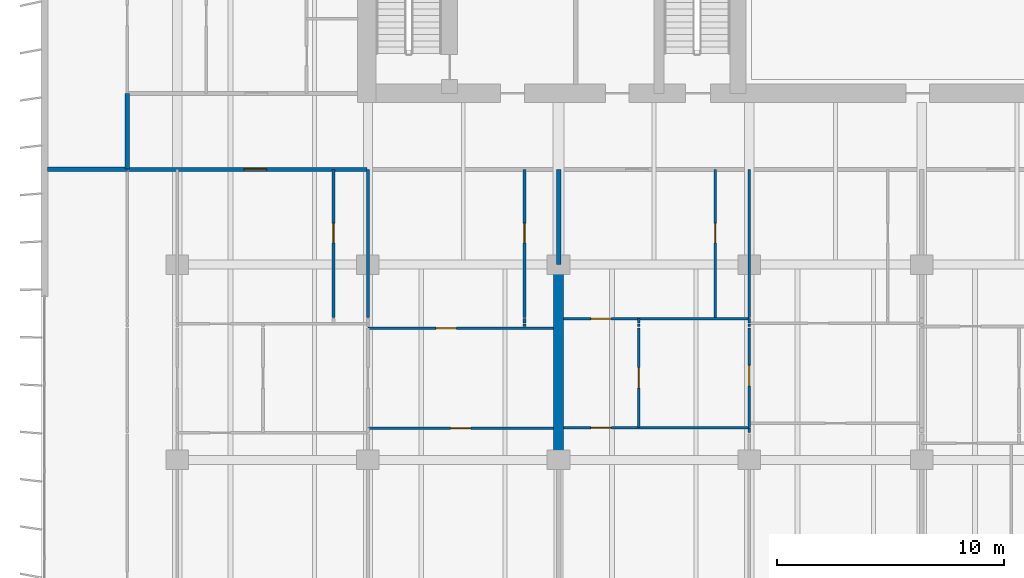
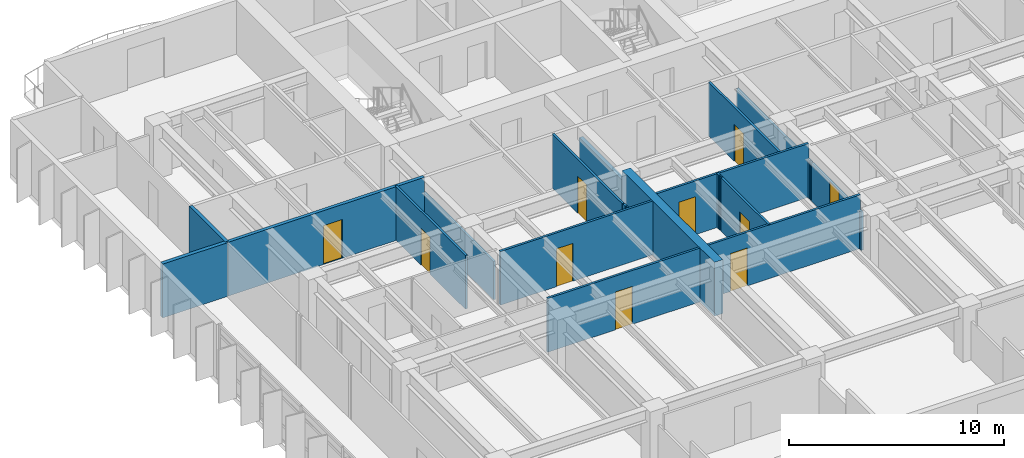
# One storey, part 7 of 19: 23 walls, 10 doors, 10 openings.
"""IFC4 building model written with IfcOpenShell, lengths in metres."""

from ifc_helpers import new_model, si_unit, direction, frame, frame_2d, origin, place, context, subcontext, project, spatial, rectangle, extrude, material, layer, layer_set, type_object, element, fill, save


model = new_model("IFC4")

# Units and contexts
model_context = context("Model", 3, precision=1e-05, world=origin(), true_north=direction((0.0, 1.0)))
body_context = subcontext(model_context, "Body", "Model", "MODEL_VIEW")
ifc_project = project(units=[si_unit("LENGTHUNIT", "METRE"), si_unit("AREAUNIT", "SQUARE_METRE"), si_unit("VOLUMEUNIT", "CUBIC_METRE"), si_unit("PLANEANGLEUNIT", "RADIAN"), si_unit("MASSUNIT", "GRAM", prefix="KILO")], contexts=[model_context])

# Site, building, storey
site_placement = place(None, origin())
site = spatial("IfcSite", under=ifc_project, at=site_placement, CompositionType="ELEMENT")
building_placement = place(site_placement, origin())
building = spatial("IfcBuilding", under=site, at=building_placement, Name="Caelmar Bay Residences", CompositionType="ELEMENT")
storey_placement = place(building_placement, frame((0.0, 0.0, 112.5)))
storey = spatial("IfcBuildingStorey", under=building, at=storey_placement, Name="L30", CompositionType="ELEMENT", Elevation=112.5)

# Walls
ifc_material_1 = material(Name="Concrete f'c 55 MPa (8,000 psi)", Category="concrete")
ifc_layer_1 = layer(ifc_material_1, 0.449951171875)
ifc_layer_set_1 = layer_set([ifc_layer_1], Name="Concrete f'c 55 MPa (8,000 psi)")
wall_type_1 = type_object("IfcWallType", Name="SW-XSLB-450", PredefinedType="SHEAR", material=ifc_layer_set_1)
wall_1_placement = place(storey_placement, frame((26.699951171875, 20.800048828125, 0.0), z_axis=(0.0, 0.0, 1.0), x_axis=(0.0, 1.0, 0.0)))
element("IfcWall", 1, at=wall_1_placement, inside=storey, type_object=wall_type_1, Name="L30 Transverse Cross-Slab Shear Wall W5", PredefinedType="SHEAR", context=body_context, shape_type="SweptSolid", body=[
    extrude(rectangle(XDim=8.599853515625, YDim=0.449951171875, at=frame_2d((4.2998046875, 0.0))), origin(), (0.0, 0.0, 1.0), 3.050048828125),
])
ifc_material_2 = material(Name="Double-stud acoustic fire-rated gypsum partition 180 mm")
ifc_layer_2 = layer(ifc_material_2, 0.179931640625)
ifc_layer_set_2 = layer_set([ifc_layer_2], Name="Double-stud acoustic fire-rated gypsum partition 180 mm")
wall_type_2 = type_object("IfcWallType", Name="W-COR-200", PredefinedType="PARTITIONING", material=ifc_layer_set_2)
wall_2_placement = place(storey_placement, frame((7.699951171875, 33.60498046875, 0.0), z_axis=(0.0, 0.0, 1.0), x_axis=(0.0, 1.0, 0.0)))
element("IfcWall", 2, at=wall_2_placement, inside=storey, type_object=wall_type_2, Name="L30 Partition Wall V007", PredefinedType="PARTITIONING", context=body_context, shape_type="SweptSolid", body=[
    extrude(rectangle(XDim=3.344970703125, YDim=0.179931640625, at=frame_2d((1.67236328125, 0.0))), origin(), (0.0, 0.0, 1.0), 3.050048828125),
])

# Wall, opening, door
wall_3_placement = place(storey_placement, frame((7.705078125, 33.60009765625, 0.0), z_axis=(0.0, 0.0, 1.0), x_axis=(1.0, 0.0, 0.0)))
wall_3 = element("IfcWall", 3, at=wall_3_placement, inside=storey, type_object=wall_type_2, Name="L30 Partition Wall H140", PredefinedType="PARTITIONING", context=body_context, shape_type="SweptSolid", body=[
    extrude(rectangle(XDim=10.544921875, YDim=0.179931640625, at=frame_2d((5.2724609375, 0.0))), origin(), (0.0, 0.0, 1.0), 3.050048828125),
])
opening_1_placement = place(wall_3_placement, frame((5.137451171875, 0.0, 0.0)))
opening_1 = element("IfcOpeningElement", 4, at=opening_1_placement, cuts=wall_3, Name="Opening D-L30-119", PredefinedType="OPENING", context=body_context, shape_type="SweptSolid", body=[
    extrude(rectangle(XDim=1.0, YDim=2.199951171875, at=frame_2d((0.5, 1.10009765625))), frame((0.0, 0.099853515625, 0.0), z_axis=(0.0, -1.0, 0.0), x_axis=(1.0, 0.0, 0.0)), (0.0, 0.0, 1.0), 0.199951171875),
])
ifc_material_3 = material(Name="Fire-rated steel and walnut architectural door assembly", Category="steel")
ifc_layer_3 = layer(ifc_material_3, 0.050048828125)
ifc_layer_set_3 = layer_set([ifc_layer_3], Name="Fire-rated steel and walnut architectural door assembly")
door_type_1 = type_object("IfcDoorType", Name="D-UNIT-1000", OperationType="NOTDEFINED", PredefinedType="DOOR", material=ifc_layer_set_3)
door_1_placement = place(opening_1_placement, origin())
door_1 = element("IfcDoor", 5, at=door_1_placement, inside=storey, type_object=door_type_1, Name="L30 Residence 01 Apartment Hall Door", OperationType="SINGLE_SWING_LEFT", OverallHeight=2.199951171875, OverallWidth=1.0, PredefinedType="DOOR", context=body_context, shape_type="SweptSolid", body=[
    extrude(rectangle(XDim=1.0, YDim=2.199951171875, at=frame_2d((0.5, 1.10009765625))), frame((0.0, 0.02490234375, 0.0), z_axis=(0.0, -1.0, 0.0), x_axis=(1.0, 0.0, 0.0)), (0.0, 0.0, 1.0), 0.050048828125),
])
fill(opening_1, door_1)

ifc_material_4 = material(Name="Acoustic metal-stud gypsum partition 120 mm")
ifc_layer_4 = layer(ifc_material_4, 0.1201171875)
ifc_layer_set_4 = layer_set([ifc_layer_4], Name="Acoustic metal-stud gypsum partition 120 mm")
wall_type_3 = type_object("IfcWallType", Name="W-PRT-120", PredefinedType="PARTITIONING", material=ifc_layer_set_4)
wall_4_placement = place(storey_placement, frame((16.784912109375, 27.080078125, 0.0), z_axis=(0.0, 0.0, 1.0), x_axis=(0.0, 1.0, 0.0)))
wall_4 = element("IfcWall", 6, at=wall_4_placement, inside=storey, type_object=wall_type_3, Name="L30 Partition Wall V023", PredefinedType="PARTITIONING", context=body_context, shape_type="SweptSolid", body=[
    extrude(rectangle(XDim=6.52001953125, YDim=0.1201171875, at=frame_2d((3.260009765625, 0.0))), origin(), (0.0, 0.0, 1.0), 3.050048828125),
])
opening_2_placement = place(wall_4_placement, frame((3.284912109375, 0.0, 0.0)))
opening_2 = element("IfcOpeningElement", 7, at=opening_2_placement, cuts=wall_4, Name="Opening D-L30-120", PredefinedType="OPENING", context=body_context, shape_type="SweptSolid", body=[
    extrude(rectangle(XDim=0.85009765625, YDim=2.10009765625, at=frame_2d((0.425048828125, 1.050048828125))), frame((0.0, 0.070068359375, 0.0), z_axis=(0.0, -1.0, 0.0), x_axis=(1.0, 0.0, 0.0)), (0.0, 0.0, 1.0), 0.14013671875),
])
ifc_material_5 = material(Name="Solid walnut timber interior door leaf and frame", Category="wood")
ifc_layer_5 = layer(ifc_material_5, 0.050048828125)
ifc_layer_set_5 = layer_set([ifc_layer_5], Name="Solid walnut timber interior door leaf and frame")
door_type_2 = type_object("IfcDoorType", Name="D-BATH-850", OperationType="NOTDEFINED", PredefinedType="DOOR", material=ifc_layer_set_5)
door_2_placement = place(opening_2_placement, origin())
door_2 = element("IfcDoor", 8, at=door_2_placement, inside=storey, type_object=door_type_2, Name="L30 Residence 01 Guest Bathroom Door", OperationType="SINGLE_SWING_RIGHT", OverallHeight=2.10009765625, OverallWidth=0.85009765625, PredefinedType="DOOR", context=body_context, shape_type="SweptSolid", body=[
    extrude(rectangle(XDim=0.85009765625, YDim=2.10009765625, at=frame_2d((0.425048828125, 1.050048828125))), frame((0.0, 0.02490234375, 0.0), z_axis=(0.0, -1.0, 0.0), x_axis=(1.0, 0.0, 0.0)), (0.0, 0.0, 1.0), 0.050048828125),
])
fill(opening_2, door_2)

# Walls
wall_5_placement = place(storey_placement, frame((18.300048828125, 27.080078125, 0.0), z_axis=(0.0, 0.0, 1.0), x_axis=(0.0, 1.0, 0.0)))
element("IfcWall", 9, at=wall_5_placement, inside=storey, type_object=wall_type_3, Name="L30 Partition Wall V030", PredefinedType="PARTITIONING", context=body_context, shape_type="SweptSolid", body=[
    extrude(rectangle(XDim=6.52001953125, YDim=0.1201171875, at=frame_2d((3.260009765625, 0.0))), origin(), (0.0, 0.0, 1.0), 2.174072265625),
])
wall_6_placement = place(storey_placement, frame((25.199951171875, 26.679931640625, 0.0), z_axis=(0.0, 0.0, 1.0), x_axis=(0.0, 1.0, 0.0)))
element("IfcWall", 10, at=wall_6_placement, inside=storey, type_object=wall_type_3, Name="L30 Partition Wall V032", PredefinedType="PARTITIONING", context=body_context, shape_type="SweptSolid", body=[
    extrude(rectangle(XDim=0.10009765625, YDim=0.1201171875, at=frame_2d((0.050048828125, 0.0))), origin(), (0.0, 0.0, 1.0), 3.050048828125),
])
wall_7_placement = place(storey_placement, frame((25.199951171875, 26.820068359375, 0.0), z_axis=(0.0, 0.0, 1.0), x_axis=(0.0, 1.0, 0.0)))
element("IfcWall", 11, at=wall_7_placement, inside=storey, type_object=wall_type_3, Name="L30 Partition Wall V033", PredefinedType="PARTITIONING", context=body_context, shape_type="SweptSolid", body=[
    extrude(rectangle(XDim=0.199951171875, YDim=0.1201171875, at=frame_2d((0.10009765625, 0.0))), origin(), (0.0, 0.0, 1.0), 3.050048828125),
])

# Wall, opening, door
wall_8_placement = place(storey_placement, frame((25.199951171875, 27.080078125, 0.0), z_axis=(0.0, 0.0, 1.0), x_axis=(0.0, 1.0, 0.0)))
wall_8 = element("IfcWall", 12, at=wall_8_placement, inside=storey, type_object=wall_type_3, Name="L30 Partition Wall V034", PredefinedType="PARTITIONING", context=body_context, shape_type="SweptSolid", body=[
    extrude(rectangle(XDim=6.52001953125, YDim=0.1201171875, at=frame_2d((3.260009765625, 0.0))), origin(), (0.0, 0.0, 1.0), 3.050048828125),
])
opening_3_placement = place(wall_8_placement, frame((3.284912109375, 0.0, 0.0)))
opening_3 = element("IfcOpeningElement", 13, at=opening_3_placement, cuts=wall_8, Name="Opening D-L30-126", PredefinedType="OPENING", context=body_context, shape_type="SweptSolid", body=[
    extrude(rectangle(XDim=0.85009765625, YDim=2.10009765625, at=frame_2d((0.425048828125, 1.050048828125))), frame((0.0, 0.070068359375, 0.0), z_axis=(0.0, -1.0, 0.0), x_axis=(1.0, 0.0, 0.0)), (0.0, 0.0, 1.0), 0.14013671875),
])
door_3_placement = place(opening_3_placement, origin())
door_3 = element("IfcDoor", 14, at=door_3_placement, inside=storey, type_object=door_type_2, Name="L30 Residence 01 En-Suite Bathroom 1 Door", OperationType="SINGLE_SWING_RIGHT", OverallHeight=2.10009765625, OverallWidth=0.85009765625, PredefinedType="DOOR", context=body_context, shape_type="SweptSolid", body=[
    extrude(rectangle(XDim=0.85009765625, YDim=2.10009765625, at=frame_2d((0.425048828125, 1.050048828125))), frame((0.0, 0.02490234375, 0.0), z_axis=(0.0, -1.0, 0.0), x_axis=(1.0, 0.0, 0.0)), (0.0, 0.0, 1.0), 0.050048828125),
])
fill(opening_3, door_3)

wall_9_placement = place(storey_placement, frame((30.22802734375, 22.219970703125, 0.0), z_axis=(0.0, 0.0, 1.0), x_axis=(0.0, 1.0, 0.0)))
wall_9 = element("IfcWall", 15, at=wall_9_placement, inside=storey, type_object=wall_type_3, Name="L30 Partition Wall V041", PredefinedType="PARTITIONING", context=body_context, shape_type="SweptSolid", body=[
    extrude(rectangle(XDim=4.380126953125, YDim=0.1201171875, at=frame_2d((2.18994140625, 0.0))), origin(), (0.0, 0.0, 1.0), 3.050048828125),
])
opening_4_placement = place(wall_9_placement, frame((1.739990234375, 0.0, 0.0)))
opening_4 = element("IfcOpeningElement", 16, at=opening_4_placement, cuts=wall_9, Name="Opening D-L30-133", PredefinedType="OPENING", context=body_context, shape_type="SweptSolid", body=[
    extrude(rectangle(XDim=0.89990234375, YDim=2.14990234375, at=frame_2d((0.449951171875, 1.074951171875))), frame((0.0, 0.070068359375, 0.0), z_axis=(0.0, -1.0, 0.0), x_axis=(1.0, 0.0, 0.0)), (0.0, 0.0, 1.0), 0.14013671875),
])
ifc_layer_6 = layer(ifc_material_5, 0.050048828125)
ifc_layer_set_6 = layer_set([ifc_layer_6], Name="Solid walnut timber interior door leaf and frame")
door_type_3 = type_object("IfcDoorType", Name="D-ROOM-900", OperationType="NOTDEFINED", PredefinedType="DOOR", material=ifc_layer_set_6)
door_4_placement = place(opening_4_placement, origin())
door_4 = element("IfcDoor", 17, at=door_4_placement, inside=storey, type_object=door_type_3, Name="L30 Residence 02 Kitchen Door", OperationType="SINGLE_SWING_LEFT", OverallHeight=2.14990234375, OverallWidth=0.89990234375, PredefinedType="DOOR", context=body_context, shape_type="SweptSolid", body=[
    extrude(rectangle(XDim=0.89990234375, YDim=2.14990234375, at=frame_2d((0.449951171875, 1.074951171875))), frame((0.0, 0.02490234375, 0.0), z_axis=(0.0, -1.0, 0.0), x_axis=(1.0, 0.0, 0.0)), (0.0, 0.0, 1.0), 0.050048828125),
])
fill(opening_4, door_4)

# Walls
wall_10_placement = place(storey_placement, frame((30.22802734375, 26.679931640625, 0.0), z_axis=(0.0, 0.0, 1.0), x_axis=(0.0, 1.0, 0.0)))
element("IfcWall", 18, at=wall_10_placement, inside=storey, type_object=wall_type_3, Name="L30 Partition Wall V042", PredefinedType="PARTITIONING", context=body_context, shape_type="SweptSolid", body=[
    extrude(rectangle(XDim=0.10009765625, YDim=0.1201171875, at=frame_2d((0.050048828125, 0.0))), origin(), (0.0, 0.0, 1.0), 3.050048828125),
])
wall_11_placement = place(storey_placement, frame((30.22802734375, 26.820068359375, 0.0), z_axis=(0.0, 0.0, 1.0), x_axis=(0.0, 1.0, 0.0)))
element("IfcWall", 19, at=wall_11_placement, inside=storey, type_object=wall_type_3, Name="L30 Partition Wall V043", PredefinedType="PARTITIONING", context=body_context, shape_type="SweptSolid", body=[
    extrude(rectangle(XDim=0.199951171875, YDim=0.1201171875, at=frame_2d((0.10009765625, 0.0))), origin(), (0.0, 0.0, 1.0), 3.050048828125),
])

# Wall, opening, door
wall_12_placement = place(storey_placement, frame((33.60009765625, 27.080078125, 0.0), z_axis=(0.0, 0.0, 1.0), x_axis=(0.0, 1.0, 0.0)))
wall_12 = element("IfcWall", 20, at=wall_12_placement, inside=storey, type_object=wall_type_3, Name="L30 Partition Wall V044", PredefinedType="PARTITIONING", context=body_context, shape_type="SweptSolid", body=[
    extrude(rectangle(XDim=6.52001953125, YDim=0.1201171875, at=frame_2d((3.260009765625, 0.0))), origin(), (0.0, 0.0, 1.0), 3.050048828125),
])
opening_5_placement = place(wall_12_placement, frame((3.284912109375, 0.0, 0.0)))
opening_5 = element("IfcOpeningElement", 21, at=opening_5_placement, cuts=wall_12, Name="Opening D-L30-131", PredefinedType="OPENING", context=body_context, shape_type="SweptSolid", body=[
    extrude(rectangle(XDim=0.85009765625, YDim=2.10009765625, at=frame_2d((0.425048828125, 1.050048828125))), frame((0.0, 0.070068359375, 0.0), z_axis=(0.0, -1.0, 0.0), x_axis=(1.0, 0.0, 0.0)), (0.0, 0.0, 1.0), 0.14013671875),
])
door_5_placement = place(opening_5_placement, origin())
door_5 = element("IfcDoor", 22, at=door_5_placement, inside=storey, type_object=door_type_2, Name="L30 Residence 02 Guest Bathroom Door", OperationType="SINGLE_SWING_LEFT", OverallHeight=2.10009765625, OverallWidth=0.85009765625, PredefinedType="DOOR", context=body_context, shape_type="SweptSolid", body=[
    extrude(rectangle(XDim=0.85009765625, YDim=2.10009765625, at=frame_2d((0.425048828125, 1.050048828125))), frame((0.0, 0.02490234375, 0.0), z_axis=(0.0, -1.0, 0.0), x_axis=(1.0, 0.0, 0.0)), (0.0, 0.0, 1.0), 0.050048828125),
])
fill(opening_5, door_5)

# Wall
wall_13_placement = place(storey_placement, frame((35.10009765625, 22.0, 0.0), z_axis=(0.0, 0.0, 1.0), x_axis=(0.0, 1.0, 0.0)))
element("IfcWall", 23, at=wall_13_placement, inside=storey, type_object=wall_type_3, Name="L30 Partition Wall V047", PredefinedType="PARTITIONING", context=body_context, shape_type="SweptSolid", body=[
    extrude(rectangle(XDim=0.199951171875, YDim=0.1201171875, at=frame_2d((0.10009765625, 0.0))), origin(), (0.0, 0.0, 1.0), 2.174072265625),
])

# Wall, opening, door
wall_14_placement = place(storey_placement, frame((35.10009765625, 22.219970703125, 0.0), z_axis=(0.0, 0.0, 1.0), x_axis=(0.0, 1.0, 0.0)))
wall_14 = element("IfcWall", 24, at=wall_14_placement, inside=storey, type_object=wall_type_3, Name="L30 Partition Wall V048", PredefinedType="PARTITIONING", context=body_context, shape_type="SweptSolid", body=[
    extrude(rectangle(XDim=4.380126953125, YDim=0.1201171875, at=frame_2d((2.18994140625, 0.0))), origin(), (0.0, 0.0, 1.0), 2.174072265625),
])
opening_6_placement = place(wall_14_placement, frame((1.840087890625, 0.0, 0.0)))
opening_6 = element("IfcOpeningElement", 25, at=opening_6_placement, cuts=wall_14, Name="Opening D-L30-135", PredefinedType="OPENING", context=body_context, shape_type="SweptSolid", body=[
    extrude(rectangle(XDim=0.89990234375, YDim=2.1240234375, at=frame_2d((0.449951171875, 1.06201171875))), frame((0.0, 0.070068359375, 0.0), z_axis=(0.0, -1.0, 0.0), x_axis=(1.0, 0.0, 0.0)), (0.0, 0.0, 1.0), 0.14013671875),
])
door_6_placement = place(opening_6_placement, origin())
door_6 = element("IfcDoor", 26, at=door_6_placement, inside=storey, type_object=door_type_3, Name="L30 Residence 02 Conference Study 1 Door", OperationType="SINGLE_SWING_LEFT", OverallHeight=2.1240234375, OverallWidth=0.89990234375, PredefinedType="DOOR", context=body_context, shape_type="SweptSolid", body=[
    extrude(rectangle(XDim=0.89990234375, YDim=2.1240234375, at=frame_2d((0.449951171875, 1.06201171875))), frame((0.0, 0.02490234375, 0.0), z_axis=(0.0, -1.0, 0.0), x_axis=(1.0, 0.0, 0.0)), (0.0, 0.0, 1.0), 0.050048828125),
])
fill(opening_6, door_6)

# Walls
wall_15_placement = place(storey_placement, frame((35.10009765625, 26.679931640625, 0.0), z_axis=(0.0, 0.0, 1.0), x_axis=(0.0, 1.0, 0.0)))
element("IfcWall", 27, at=wall_15_placement, inside=storey, type_object=wall_type_3, Name="L30 Partition Wall V049", PredefinedType="PARTITIONING", context=body_context, shape_type="SweptSolid", body=[
    extrude(rectangle(XDim=0.10009765625, YDim=0.1201171875, at=frame_2d((0.050048828125, 0.0))), origin(), (0.0, 0.0, 1.0), 2.174072265625),
])
wall_16_placement = place(storey_placement, frame((35.10009765625, 26.820068359375, 0.0), z_axis=(0.0, 0.0, 1.0), x_axis=(0.0, 1.0, 0.0)))
element("IfcWall", 28, at=wall_16_placement, inside=storey, type_object=wall_type_3, Name="L30 Partition Wall V050", PredefinedType="PARTITIONING", context=body_context, shape_type="SweptSolid", body=[
    extrude(rectangle(XDim=0.199951171875, YDim=0.1201171875, at=frame_2d((0.10009765625, 0.0))), origin(), (0.0, 0.0, 1.0), 2.174072265625),
])
wall_17_placement = place(storey_placement, frame((35.10009765625, 27.080078125, 0.0), z_axis=(0.0, 0.0, 1.0), x_axis=(0.0, 1.0, 0.0)))
element("IfcWall", 29, at=wall_17_placement, inside=storey, type_object=wall_type_3, Name="L30 Partition Wall V051", PredefinedType="PARTITIONING", context=body_context, shape_type="SweptSolid", body=[
    extrude(rectangle(XDim=6.52001953125, YDim=0.1201171875, at=frame_2d((3.260009765625, 0.0))), origin(), (0.0, 0.0, 1.0), 2.174072265625),
])

# Wall, opening, door
wall_18_placement = place(storey_placement, frame((18.300048828125, 22.199951171875, 0.0), z_axis=(0.0, 0.0, 1.0), x_axis=(1.0, 0.0, 0.0)))
wall_18 = element("IfcWall", 30, at=wall_18_placement, inside=storey, type_object=wall_type_3, Name="L30 Partition Wall H129", PredefinedType="PARTITIONING", context=body_context, shape_type="SweptSolid", body=[
    extrude(rectangle(XDim=8.179931640625, YDim=0.1201171875, at=frame_2d((4.08984375, 0.0))), origin(), (0.0, 0.0, 1.0), 3.050048828125),
])
opening_7_placement = place(wall_18_placement, frame((3.639892578125, 0.0, 0.0)))
opening_7 = element("IfcOpeningElement", 31, at=opening_7_placement, cuts=wall_18, Name="Opening D-L30-127", PredefinedType="OPENING", context=body_context, shape_type="SweptSolid", body=[
    extrude(rectangle(XDim=0.89990234375, YDim=2.14990234375, at=frame_2d((0.449951171875, 1.074951171875))), frame((0.0, 0.070068359375, 0.0), z_axis=(0.0, -1.0, 0.0), x_axis=(1.0, 0.0, 0.0)), (0.0, 0.0, 1.0), 0.14013671875),
])
door_7_placement = place(opening_7_placement, origin())
door_7 = element("IfcDoor", 32, at=door_7_placement, inside=storey, type_object=door_type_3, Name="L30 Residence 01 Penthouse Sitting Salon 1 Door", OperationType="SINGLE_SWING_LEFT", OverallHeight=2.14990234375, OverallWidth=0.89990234375, PredefinedType="DOOR", context=body_context, shape_type="SweptSolid", body=[
    extrude(rectangle(XDim=0.89990234375, YDim=2.14990234375, at=frame_2d((0.449951171875, 1.074951171875))), frame((0.0, 0.02490234375, 0.0), z_axis=(0.0, -1.0, 0.0), x_axis=(1.0, 0.0, 0.0)), (0.0, 0.0, 1.0), 0.050048828125),
])
fill(opening_7, door_7)

wall_19_placement = place(storey_placement, frame((26.919921875, 22.219970703125, 0.0), z_axis=(0.0, 0.0, 1.0), x_axis=(1.0, 0.0, 0.0)))
wall_19 = element("IfcWall", 33, at=wall_19_placement, inside=storey, type_object=wall_type_3, Name="L30 Partition Wall H130", PredefinedType="PARTITIONING", context=body_context, shape_type="SweptSolid", body=[
    extrude(rectangle(XDim=8.18017578125, YDim=0.1201171875, at=frame_2d((4.090087890625, 0.0))), origin(), (0.0, 0.0, 1.0), 3.050048828125),
])
opening_8_placement = place(wall_19_placement, frame((1.2041015625, 0.0, 0.0)))
opening_8 = element("IfcOpeningElement", 34, at=opening_8_placement, cuts=wall_19, Name="Opening D-L30-134", PredefinedType="OPENING", context=body_context, shape_type="SweptSolid", body=[
    extrude(rectangle(XDim=0.89990234375, YDim=2.14990234375, at=frame_2d((0.449951171875, 1.074951171875))), frame((0.0, 0.070068359375, 0.0), z_axis=(0.0, -1.0, 0.0), x_axis=(1.0, 0.0, 0.0)), (0.0, 0.0, 1.0), 0.14013671875),
])
door_8_placement = place(opening_8_placement, origin())
door_8 = element("IfcDoor", 35, at=door_8_placement, inside=storey, type_object=door_type_3, Name="L30 Residence 02 Penthouse Living Salon Door", OperationType="SINGLE_SWING_RIGHT", OverallHeight=2.14990234375, OverallWidth=0.89990234375, PredefinedType="DOOR", context=body_context, shape_type="SweptSolid", body=[
    extrude(rectangle(XDim=0.89990234375, YDim=2.14990234375, at=frame_2d((0.449951171875, 1.074951171875))), frame((0.0, 0.02490234375, 0.0), z_axis=(0.0, -1.0, 0.0), x_axis=(1.0, 0.0, 0.0)), (0.0, 0.0, 1.0), 0.050048828125),
])
fill(opening_8, door_8)

wall_20_placement = place(storey_placement, frame((18.300048828125, 26.60009765625, 0.0), z_axis=(0.0, 0.0, 1.0), x_axis=(1.0, 0.0, 0.0)))
wall_20 = element("IfcWall", 36, at=wall_20_placement, inside=storey, type_object=wall_type_3, Name="L30 Partition Wall H132", PredefinedType="PARTITIONING", context=body_context, shape_type="SweptSolid", body=[
    extrude(rectangle(XDim=8.179931640625, YDim=0.1201171875, at=frame_2d((4.08984375, 0.0))), origin(), (0.0, 0.0, 1.0), 3.050048828125),
])
opening_9_placement = place(wall_20_placement, frame((3.0, 0.0, 0.0)))
opening_9 = element("IfcOpeningElement", 37, at=opening_9_placement, cuts=wall_20, Name="Opening D-L30-125", PredefinedType="OPENING", context=body_context, shape_type="SweptSolid", body=[
    extrude(rectangle(XDim=0.89990234375, YDim=2.14990234375, at=frame_2d((0.449951171875, 1.074951171875))), frame((0.0, 0.070068359375, 0.0), z_axis=(0.0, -1.0, 0.0), x_axis=(1.0, 0.0, 0.0)), (0.0, 0.0, 1.0), 0.14013671875),
])
door_9_placement = place(opening_9_placement, origin())
door_9 = element("IfcDoor", 38, at=door_9_placement, inside=storey, type_object=door_type_3, Name="L30 Residence 01 Private Meeting Room 1 Door", OperationType="SINGLE_SWING_LEFT", OverallHeight=2.14990234375, OverallWidth=0.89990234375, PredefinedType="DOOR", context=body_context, shape_type="SweptSolid", body=[
    extrude(rectangle(XDim=0.89990234375, YDim=2.14990234375, at=frame_2d((0.449951171875, 1.074951171875))), frame((0.0, 0.02490234375, 0.0), z_axis=(0.0, -1.0, 0.0), x_axis=(1.0, 0.0, 0.0)), (0.0, 0.0, 1.0), 0.050048828125),
])
fill(opening_9, door_9)

wall_21_placement = place(storey_placement, frame((26.919921875, 27.02001953125, 0.0), z_axis=(0.0, 0.0, 1.0), x_axis=(1.0, 0.0, 0.0)))
wall_21 = element("IfcWall", 39, at=wall_21_placement, inside=storey, type_object=wall_type_3, Name="L30 Partition Wall H137", PredefinedType="PARTITIONING", context=body_context, shape_type="SweptSolid", body=[
    extrude(rectangle(XDim=8.175048828125, YDim=0.1201171875, at=frame_2d((4.08740234375, 0.0))), origin(), (0.0, 0.0, 1.0), 3.050048828125),
])
opening_10_placement = place(wall_21_placement, frame((1.2041015625, 0.0, 0.0)))
opening_10 = element("IfcOpeningElement", 40, at=opening_10_placement, cuts=wall_21, Name="Opening D-L30-132", PredefinedType="OPENING", context=body_context, shape_type="SweptSolid", body=[
    extrude(rectangle(XDim=0.89990234375, YDim=2.14990234375, at=frame_2d((0.449951171875, 1.074951171875))), frame((0.0, 0.070068359375, 0.0), z_axis=(0.0, -1.0, 0.0), x_axis=(1.0, 0.0, 0.0)), (0.0, 0.0, 1.0), 0.14013671875),
])
door_10_placement = place(opening_10_placement, origin())
door_10 = element("IfcDoor", 41, at=door_10_placement, inside=storey, type_object=door_type_3, Name="L30 Residence 02 Dining Room Door", OperationType="SINGLE_SWING_RIGHT", OverallHeight=2.14990234375, OverallWidth=0.89990234375, PredefinedType="DOOR", context=body_context, shape_type="SweptSolid", body=[
    extrude(rectangle(XDim=0.89990234375, YDim=2.14990234375, at=frame_2d((0.449951171875, 1.074951171875))), frame((0.0, 0.02490234375, 0.0), z_axis=(0.0, -1.0, 0.0), x_axis=(1.0, 0.0, 0.0)), (0.0, 0.0, 1.0), 0.050048828125),
])
fill(opening_10, door_10)

# Walls
ifc_material_6 = material(Name="Acoustic twin-stud fire-rated inter-tenancy partition 200 mm")
ifc_layer_7 = layer(ifc_material_6, 0.199951171875)
ifc_layer_set_7 = layer_set([ifc_layer_7], Name="Acoustic twin-stud fire-rated inter-tenancy partition 200 mm")
wall_type_4 = type_object("IfcWallType", Name="W-PTY-200", PredefinedType="PARTITIONING", material=ifc_layer_set_7)
wall_22_placement = place(storey_placement, frame((26.699951171875, 29.405029296875, 0.0), z_axis=(0.0, 0.0, 1.0), x_axis=(0.0, 1.0, 0.0)))
element("IfcWall", 42, at=wall_22_placement, inside=storey, type_object=wall_type_4, Name="L30 Partition Wall V038", PredefinedType="PARTITIONING", context=body_context, shape_type="SweptSolid", body=[
    extrude(rectangle(XDim=4.195068359375, YDim=0.199951171875, at=frame_2d((2.09765625, 0.0))), origin(), (0.0, 0.0, 1.0), 2.3349609375),
])
wall_23_placement = place(storey_placement, frame((4.195068359375, 33.60009765625, 0.0), z_axis=(0.0, 0.0, 1.0), x_axis=(1.0, 0.0, 0.0)))
element("IfcWall", 43, at=wall_23_placement, inside=storey, type_object=wall_type_4, Name="L30 Partition Wall H139", PredefinedType="PARTITIONING", context=body_context, shape_type="SweptSolid", body=[
    extrude(rectangle(XDim=3.5048828125, YDim=0.199951171875, at=frame_2d((1.75244140625, 0.0))), origin(), (0.0, 0.0, 1.0), 3.050048828125),
])

save(model, "model.ifc")
